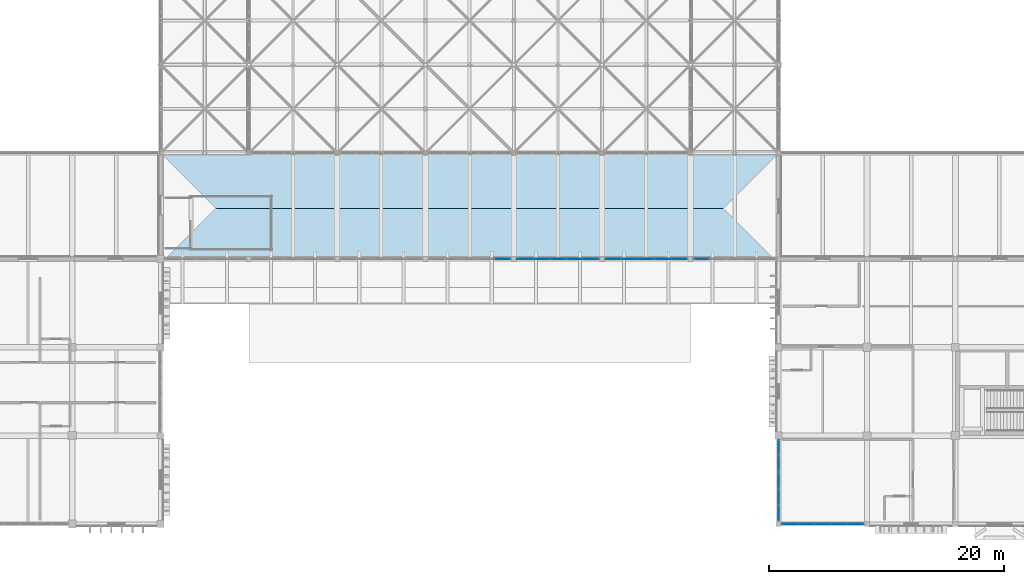
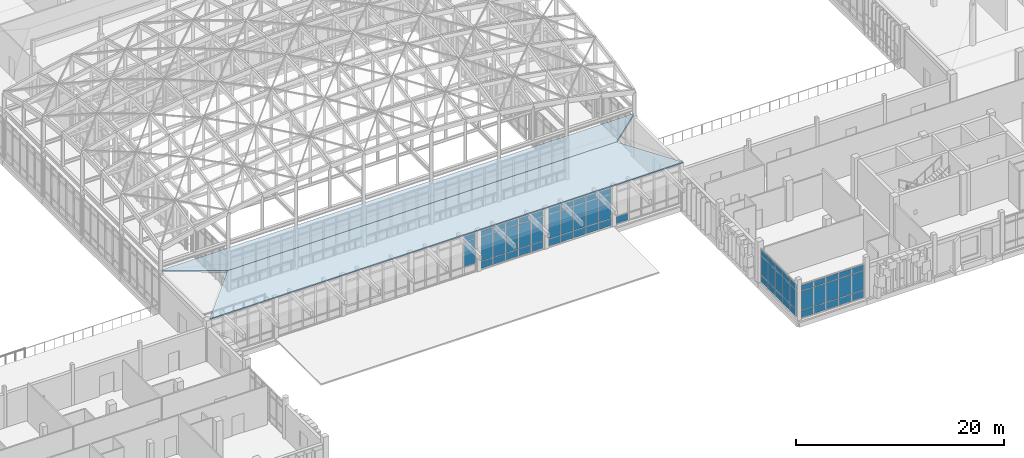
# One storey, part 78 of 131: 63 plates, 2 slabs, 7 elements without a shape of their own.
"""IFC4 building model written with IfcOpenShell, lengths in metres."""

from ifc_helpers import new_model, si_unit, direction, frame, origin, origin_2d, place, context, subcontext, project, spatial, polyline, rectangle, outline, extrude, material, layer, layer_set, type_object, element, aggregate, save


model = new_model("IFC4")

# Units and contexts
model_context = context("Model", 3, precision=1e-05, world=origin(), true_north=direction((0.0, 1.0)))
body_context = subcontext(model_context, "Body", "Model", "MODEL_VIEW")
ifc_project = project(units=[si_unit("LENGTHUNIT", "METRE"), si_unit("AREAUNIT", "SQUARE_METRE"), si_unit("VOLUMEUNIT", "CUBIC_METRE"), si_unit("PLANEANGLEUNIT", "RADIAN"), si_unit("MASSUNIT", "GRAM", prefix="KILO")], contexts=[model_context])

# Site, building, storey
site_placement = place(None, origin())
site = spatial("IfcSite", under=ifc_project, at=site_placement, CompositionType="ELEMENT")
building_placement = place(site_placement, origin())
building = spatial("IfcBuilding", under=site, at=building_placement, Name="Dalvernix Boulevard General Hospital", CompositionType="ELEMENT")
storey_placement = place(building_placement, frame((0.0, 0.0, 9.300048828125)))
storey = spatial("IfcBuildingStorey", under=building, at=storey_placement, Name="L02", CompositionType="ELEMENT", Elevation=9.300048828125)

# Curtain wall, plates
ifc_material_1 = material(Name="Thermally broken aluminium and solar-control glass curtain wall", Category="aluminium")
ifc_layer_1 = layer(ifc_material_1, 0.159912109375)
ifc_layer_set_1 = layer_set([ifc_layer_1], Name="Thermally broken aluminium and solar-control glass curtain wall (CW-CW-A-70x46)")
curtain_wall_type_1 = type_object("IfcCurtainWallType", Name="CW-CW-A-70x46", PredefinedType="USERDEFINED", material=ifc_layer_set_1)
curtain_wall_1_placement = place(storey_placement, origin())
curtain_wall_1 = element("IfcCurtainWall", 1, at=curtain_wall_1_placement, inside=storey, type_object=curtain_wall_type_1, Name="L02 curtain wall CW-A-70x46 13-3", ObjectType="GLAZED FACADE", PredefinedType="USERDEFINED")
ifc_material_2 = material(Name="Double-glazed solar-control low-emissivity glass", Category="glass")
ifc_layer_2 = layer(ifc_material_2, 0.02392578125)
ifc_layer_set_2 = layer_set([ifc_layer_2], Name="Double-glazed solar-control low-emissivity glass (PLT-CW-P1)")
plate_type_1 = type_object("IfcPlateType", Name="PLT-CW-P1", PredefinedType="CURTAIN_PANEL", material=ifc_layer_set_2)
plate_1_placement = place(storey_placement, frame((104.047119140625, 22.5, 0.059814453125), z_axis=(0.0, 0.0, 1.0), x_axis=(-1.0, 0.0, 0.0)))
plate_1 = element("IfcPlate", 2, at=plate_1_placement, type_object=plate_type_1, Name="CW-A-70x46 panel 1.1", PredefinedType="CURTAIN_PANEL", context=body_context, shape_type="SweptSolid", body=[
    extrude(rectangle(XDim=1.31591796875, YDim=0.02392578125, at=origin_2d()), origin(), (0.0, 0.0, 1.0), 0.81005859375),
])
plate_2_placement = place(storey_placement, frame((104.047119140625, 22.5, 0.9296875), z_axis=(0.0, 0.0, 1.0), x_axis=(-1.0, 0.0, 0.0)))
plate_2 = element("IfcPlate", 3, at=plate_2_placement, type_object=plate_type_1, Name="CW-A-70x46 panel 1.2", PredefinedType="CURTAIN_PANEL", context=body_context, shape_type="SweptSolid", body=[
    extrude(rectangle(XDim=1.31591796875, YDim=0.02392578125, at=origin_2d()), origin(), (0.0, 0.0, 1.0), 2.840087890625),
])
plate_3_placement = place(storey_placement, frame((104.047119140625, 22.5, 3.830078125), z_axis=(0.0, 0.0, 1.0), x_axis=(-1.0, 0.0, 0.0)))
plate_3 = element("IfcPlate", 4, at=plate_3_placement, type_object=plate_type_1, Name="CW-A-70x46 panel 1.3", PredefinedType="CURTAIN_PANEL", context=body_context, shape_type="SweptSolid", body=[
    extrude(rectangle(XDim=1.31591796875, YDim=0.02392578125, at=origin_2d()), origin(), (0.0, 0.0, 1.0), 0.659912109375),
])
plate_4_placement = place(storey_placement, frame((102.656005859375, 22.5, 0.059814453125), z_axis=(0.0, 0.0, 1.0), x_axis=(-1.0, 0.0, 0.0)))
plate_4 = element("IfcPlate", 5, at=plate_4_placement, type_object=plate_type_1, Name="CW-A-70x46 panel 2.1", PredefinedType="CURTAIN_PANEL", context=body_context, shape_type="SweptSolid", body=[
    extrude(rectangle(XDim=1.345947265625, YDim=0.02392578125, at=origin_2d()), origin(), (0.0, 0.0, 1.0), 0.81005859375),
])
plate_5_placement = place(storey_placement, frame((102.656005859375, 22.5, 0.9296875), z_axis=(0.0, 0.0, 1.0), x_axis=(-1.0, 0.0, 0.0)))
plate_5 = element("IfcPlate", 6, at=plate_5_placement, type_object=plate_type_1, Name="CW-A-70x46 panel 2.2", PredefinedType="CURTAIN_PANEL", context=body_context, shape_type="SweptSolid", body=[
    extrude(rectangle(XDim=1.345947265625, YDim=0.02392578125, at=origin_2d()), origin(), (0.0, 0.0, 1.0), 2.840087890625),
])
plate_6_placement = place(storey_placement, frame((102.656005859375, 22.5, 3.830078125), z_axis=(0.0, 0.0, 1.0), x_axis=(-1.0, 0.0, 0.0)))
plate_6 = element("IfcPlate", 7, at=plate_6_placement, type_object=plate_type_1, Name="CW-A-70x46 panel 2.3", PredefinedType="CURTAIN_PANEL", context=body_context, shape_type="SweptSolid", body=[
    extrude(rectangle(XDim=1.345947265625, YDim=0.02392578125, at=origin_2d()), origin(), (0.0, 0.0, 1.0), 0.659912109375),
])
plate_7_placement = place(storey_placement, frame((101.25, 22.5, 0.059814453125), z_axis=(0.0, 0.0, 1.0), x_axis=(-1.0, 0.0, 0.0)))
plate_7 = element("IfcPlate", 8, at=plate_7_placement, type_object=plate_type_1, Name="CW-A-70x46 panel 3.1", PredefinedType="CURTAIN_PANEL", context=body_context, shape_type="SweptSolid", body=[
    extrude(rectangle(XDim=1.345947265625, YDim=0.02392578125, at=origin_2d()), origin(), (0.0, 0.0, 1.0), 0.81005859375),
])
plate_8_placement = place(storey_placement, frame((101.25, 22.5, 0.9296875), z_axis=(0.0, 0.0, 1.0), x_axis=(-1.0, 0.0, 0.0)))
plate_8 = element("IfcPlate", 9, at=plate_8_placement, type_object=plate_type_1, Name="CW-A-70x46 panel 3.2", PredefinedType="CURTAIN_PANEL", context=body_context, shape_type="SweptSolid", body=[
    extrude(rectangle(XDim=1.345947265625, YDim=0.02392578125, at=origin_2d()), origin(), (0.0, 0.0, 1.0), 2.840087890625),
])
plate_9_placement = place(storey_placement, frame((101.25, 22.5, 3.830078125), z_axis=(0.0, 0.0, 1.0), x_axis=(-1.0, 0.0, 0.0)))
plate_9 = element("IfcPlate", 10, at=plate_9_placement, type_object=plate_type_1, Name="CW-A-70x46 panel 3.3", PredefinedType="CURTAIN_PANEL", context=body_context, shape_type="SweptSolid", body=[
    extrude(rectangle(XDim=1.345947265625, YDim=0.02392578125, at=origin_2d()), origin(), (0.0, 0.0, 1.0), 0.659912109375),
])
plate_10_placement = place(storey_placement, frame((99.843994140625, 22.5, 0.059814453125), z_axis=(0.0, 0.0, 1.0), x_axis=(-1.0, 0.0, 0.0)))
plate_10 = element("IfcPlate", 11, at=plate_10_placement, type_object=plate_type_1, Name="CW-A-70x46 panel 4.1", PredefinedType="CURTAIN_PANEL", context=body_context, shape_type="SweptSolid", body=[
    extrude(rectangle(XDim=1.345947265625, YDim=0.02392578125, at=origin_2d()), origin(), (0.0, 0.0, 1.0), 0.81005859375),
])
plate_11_placement = place(storey_placement, frame((99.843994140625, 22.5, 0.9296875), z_axis=(0.0, 0.0, 1.0), x_axis=(-1.0, 0.0, 0.0)))
plate_11 = element("IfcPlate", 12, at=plate_11_placement, type_object=plate_type_1, Name="CW-A-70x46 panel 4.2", PredefinedType="CURTAIN_PANEL", context=body_context, shape_type="SweptSolid", body=[
    extrude(rectangle(XDim=1.345947265625, YDim=0.02392578125, at=origin_2d()), origin(), (0.0, 0.0, 1.0), 2.840087890625),
])
plate_12_placement = place(storey_placement, frame((99.843994140625, 22.5, 3.830078125), z_axis=(0.0, 0.0, 1.0), x_axis=(-1.0, 0.0, 0.0)))
plate_12 = element("IfcPlate", 13, at=plate_12_placement, type_object=plate_type_1, Name="CW-A-70x46 panel 4.3", PredefinedType="CURTAIN_PANEL", context=body_context, shape_type="SweptSolid", body=[
    extrude(rectangle(XDim=1.345947265625, YDim=0.02392578125, at=origin_2d()), origin(), (0.0, 0.0, 1.0), 0.659912109375),
])
plate_13_placement = place(storey_placement, frame((98.452880859375, 22.5, 0.059814453125), z_axis=(0.0, 0.0, 1.0), x_axis=(-1.0, 0.0, 0.0)))
plate_13 = element("IfcPlate", 14, at=plate_13_placement, type_object=plate_type_1, Name="CW-A-70x46 panel 5.1", PredefinedType="CURTAIN_PANEL", context=body_context, shape_type="SweptSolid", body=[
    extrude(rectangle(XDim=1.31591796875, YDim=0.02392578125, at=origin_2d()), origin(), (0.0, 0.0, 1.0), 0.81005859375),
])
plate_14_placement = place(storey_placement, frame((98.452880859375, 22.5, 0.9296875), z_axis=(0.0, 0.0, 1.0), x_axis=(-1.0, 0.0, 0.0)))
plate_14 = element("IfcPlate", 15, at=plate_14_placement, type_object=plate_type_1, Name="CW-A-70x46 panel 5.2", PredefinedType="CURTAIN_PANEL", context=body_context, shape_type="SweptSolid", body=[
    extrude(rectangle(XDim=1.31591796875, YDim=0.02392578125, at=origin_2d()), origin(), (0.0, 0.0, 1.0), 2.840087890625),
])
plate_15_placement = place(storey_placement, frame((98.452880859375, 22.5, 3.830078125), z_axis=(0.0, 0.0, 1.0), x_axis=(-1.0, 0.0, 0.0)))
plate_15 = element("IfcPlate", 16, at=plate_15_placement, type_object=plate_type_1, Name="CW-A-70x46 panel 5.3", PredefinedType="CURTAIN_PANEL", context=body_context, shape_type="SweptSolid", body=[
    extrude(rectangle(XDim=1.31591796875, YDim=0.02392578125, at=origin_2d()), origin(), (0.0, 0.0, 1.0), 0.659912109375),
])
aggregate(curtain_wall_1, [plate_1, plate_2, plate_3, plate_4, plate_5, plate_6, plate_7, plate_8, plate_9, plate_10, plate_11, plate_12, plate_13, plate_14, plate_15])

ifc_layer_3 = layer(ifc_material_1, 0.179931640625)
ifc_layer_set_3 = layer_set([ifc_layer_3], Name="Thermally broken aluminium and solar-control glass curtain wall (CW-CW-B-70x46)")
curtain_wall_type_2 = type_object("IfcCurtainWallType", Name="CW-CW-B-70x46", PredefinedType="USERDEFINED", material=ifc_layer_set_3)
curtain_wall_2_placement = place(storey_placement, origin())
curtain_wall_2 = element("IfcCurtainWall", 17, at=curtain_wall_2_placement, inside=storey, type_object=curtain_wall_type_2, Name="L02 curtain wall CW-B-70x46 11-3", ObjectType="GLAZED FACADE", PredefinedType="USERDEFINED")
ifc_layer_4 = layer(ifc_material_2, 0.028076171875)
ifc_layer_set_4 = layer_set([ifc_layer_4], Name="Double-glazed solar-control low-emissivity glass (PLT-CW-P2)")
plate_type_2 = type_object("IfcPlateType", Name="PLT-CW-P2", PredefinedType="CURTAIN_PANEL", material=ifc_layer_set_4)
plate_16_placement = place(storey_placement, frame((89.045654296875, 22.5, 0.932373046875), z_axis=(0.0, 0.0, 1.0), x_axis=(-1.0, 0.0, 0.0)))
plate_16 = element("IfcPlate", 18, at=plate_16_placement, type_object=plate_type_2, Name="CW-B-70x46 panel 1.2", PredefinedType="CURTAIN_PANEL", context=body_context, shape_type="SweptSolid", body=[
    extrude(rectangle(XDim=1.30859375, YDim=0.028076171875, at=origin_2d()), origin(), (0.0, 0.0, 1.0), 2.8349609375),
])
plate_17_placement = place(storey_placement, frame((89.045654296875, 22.5, 3.83251953125), z_axis=(0.0, 0.0, 1.0), x_axis=(-1.0, 0.0, 0.0)))
plate_17 = element("IfcPlate", 19, at=plate_17_placement, type_object=plate_type_2, Name="CW-B-70x46 panel 1.3", PredefinedType="CURTAIN_PANEL", context=body_context, shape_type="SweptSolid", body=[
    extrude(rectangle(XDim=1.30859375, YDim=0.028076171875, at=origin_2d()), origin(), (0.0, 0.0, 1.0), 0.652587890625),
])
aggregate(curtain_wall_2, [plate_16, plate_17])

# Curtain wall, plate
ifc_layer_5 = layer(ifc_material_1, 0.179931640625)
ifc_layer_set_5 = layer_set([ifc_layer_5], Name="Thermally broken aluminium and solar-control glass curtain wall (CW-CW-B-71x46)")
curtain_wall_type_3 = type_object("IfcCurtainWallType", Name="CW-CW-B-71x46", PredefinedType="USERDEFINED", material=ifc_layer_set_5)
curtain_wall_3_placement = place(storey_placement, origin())
curtain_wall_3 = element("IfcCurtainWall", 20, at=curtain_wall_3_placement, inside=storey, type_object=curtain_wall_type_3, Name="L02 curtain wall CW-B-71x46 14-3", ObjectType="GLAZED FACADE", PredefinedType="USERDEFINED")
plate_18_placement = place(storey_placement, frame((105.960693359375, 22.5, 0.06494140625), z_axis=(0.0, 0.0, 1.0), x_axis=(-1.0, 0.0, 0.0)))
plate_18 = element("IfcPlate", 21, at=plate_18_placement, type_object=plate_type_2, Name="CW-B-71x46 panel 5.1", PredefinedType="CURTAIN_PANEL", context=body_context, shape_type="SweptSolid", body=[
    extrude(rectangle(XDim=1.321533203125, YDim=0.028076171875, at=origin_2d()), origin(), (0.0, 0.0, 1.0), 0.802490234375),
])
aggregate(curtain_wall_3, [plate_18])

# Curtain wall, plates
ifc_layer_6 = layer(ifc_material_1, 0.199951171875)
ifc_layer_set_6 = layer_set([ifc_layer_6], Name="Thermally broken aluminium and solar-control glass curtain wall (CW-CW-C-70x46)")
curtain_wall_type_4 = type_object("IfcCurtainWallType", Name="CW-CW-C-70x46", PredefinedType="USERDEFINED", material=ifc_layer_set_6)
curtain_wall_4_placement = place(storey_placement, origin())
curtain_wall_4 = element("IfcCurtainWall", 22, at=curtain_wall_4_placement, inside=storey, type_object=curtain_wall_type_4, Name="L02 curtain wall CW-C-70x46 12-3", ObjectType="GLAZED FACADE", PredefinedType="USERDEFINED")
ifc_layer_7 = layer(ifc_material_2, 0.035888671875)
ifc_layer_set_7 = layer_set([ifc_layer_7], Name="Double-glazed solar-control low-emissivity glass (PLT-CW-P3)")
plate_type_3 = type_object("IfcPlateType", Name="PLT-CW-P3", PredefinedType="CURTAIN_PANEL", material=ifc_layer_set_7)
plate_19_placement = place(storey_placement, frame((96.54443359375, 22.5, 0.070068359375), z_axis=(0.0, 0.0, 1.0), x_axis=(-1.0, 0.0, 0.0)))
plate_19 = element("IfcPlate", 23, at=plate_19_placement, type_object=plate_type_3, Name="CW-C-70x46 panel 1.1", PredefinedType="CURTAIN_PANEL", context=body_context, shape_type="SweptSolid", body=[
    extrude(rectangle(XDim=1.301025390625, YDim=0.035888671875, at=origin_2d()), origin(), (0.0, 0.0, 1.0), 0.794921875),
])
plate_20_placement = place(storey_placement, frame((96.54443359375, 22.5, 0.934814453125), z_axis=(0.0, 0.0, 1.0), x_axis=(-1.0, 0.0, 0.0)))
plate_20 = element("IfcPlate", 24, at=plate_20_placement, type_object=plate_type_3, Name="CW-C-70x46 panel 1.2", PredefinedType="CURTAIN_PANEL", context=body_context, shape_type="SweptSolid", body=[
    extrude(rectangle(XDim=1.301025390625, YDim=0.035888671875, at=origin_2d()), origin(), (0.0, 0.0, 1.0), 2.830078125),
])
plate_21_placement = place(storey_placement, frame((96.54443359375, 22.5, 3.8349609375), z_axis=(0.0, 0.0, 1.0), x_axis=(-1.0, 0.0, 0.0)))
plate_21 = element("IfcPlate", 25, at=plate_21_placement, type_object=plate_type_3, Name="CW-C-70x46 panel 1.3", PredefinedType="CURTAIN_PANEL", context=body_context, shape_type="SweptSolid", body=[
    extrude(rectangle(XDim=1.301025390625, YDim=0.035888671875, at=origin_2d()), origin(), (0.0, 0.0, 1.0), 0.64501953125),
])
plate_22_placement = place(storey_placement, frame((95.156005859375, 22.5, 0.070068359375), z_axis=(0.0, 0.0, 1.0), x_axis=(-1.0, 0.0, 0.0)))
plate_22 = element("IfcPlate", 26, at=plate_22_placement, type_object=plate_type_3, Name="CW-C-70x46 panel 2.1", PredefinedType="CURTAIN_PANEL", context=body_context, shape_type="SweptSolid", body=[
    extrude(rectangle(XDim=1.3359375, YDim=0.035888671875, at=origin_2d()), origin(), (0.0, 0.0, 1.0), 0.794921875),
])
plate_23_placement = place(storey_placement, frame((95.156005859375, 22.5, 0.934814453125), z_axis=(0.0, 0.0, 1.0), x_axis=(-1.0, 0.0, 0.0)))
plate_23 = element("IfcPlate", 27, at=plate_23_placement, type_object=plate_type_3, Name="CW-C-70x46 panel 2.2", PredefinedType="CURTAIN_PANEL", context=body_context, shape_type="SweptSolid", body=[
    extrude(rectangle(XDim=1.3359375, YDim=0.035888671875, at=origin_2d()), origin(), (0.0, 0.0, 1.0), 2.830078125),
])
plate_24_placement = place(storey_placement, frame((95.156005859375, 22.5, 3.8349609375), z_axis=(0.0, 0.0, 1.0), x_axis=(-1.0, 0.0, 0.0)))
plate_24 = element("IfcPlate", 28, at=plate_24_placement, type_object=plate_type_3, Name="CW-C-70x46 panel 2.3", PredefinedType="CURTAIN_PANEL", context=body_context, shape_type="SweptSolid", body=[
    extrude(rectangle(XDim=1.3359375, YDim=0.035888671875, at=origin_2d()), origin(), (0.0, 0.0, 1.0), 0.64501953125),
])
plate_25_placement = place(storey_placement, frame((93.75, 22.5, 0.070068359375), z_axis=(0.0, 0.0, 1.0), x_axis=(-1.0, 0.0, 0.0)))
plate_25 = element("IfcPlate", 29, at=plate_25_placement, type_object=plate_type_3, Name="CW-C-70x46 panel 3.1", PredefinedType="CURTAIN_PANEL", context=body_context, shape_type="SweptSolid", body=[
    extrude(rectangle(XDim=1.3359375, YDim=0.035888671875, at=origin_2d()), origin(), (0.0, 0.0, 1.0), 0.794921875),
])
plate_26_placement = place(storey_placement, frame((93.75, 22.5, 0.934814453125), z_axis=(0.0, 0.0, 1.0), x_axis=(-1.0, 0.0, 0.0)))
plate_26 = element("IfcPlate", 30, at=plate_26_placement, type_object=plate_type_3, Name="CW-C-70x46 panel 3.2", PredefinedType="CURTAIN_PANEL", context=body_context, shape_type="SweptSolid", body=[
    extrude(rectangle(XDim=1.3359375, YDim=0.035888671875, at=origin_2d()), origin(), (0.0, 0.0, 1.0), 2.830078125),
])
plate_27_placement = place(storey_placement, frame((93.75, 22.5, 3.8349609375), z_axis=(0.0, 0.0, 1.0), x_axis=(-1.0, 0.0, 0.0)))
plate_27 = element("IfcPlate", 31, at=plate_27_placement, type_object=plate_type_3, Name="CW-C-70x46 panel 3.3", PredefinedType="CURTAIN_PANEL", context=body_context, shape_type="SweptSolid", body=[
    extrude(rectangle(XDim=1.3359375, YDim=0.035888671875, at=origin_2d()), origin(), (0.0, 0.0, 1.0), 0.64501953125),
])
plate_28_placement = place(storey_placement, frame((92.343994140625, 22.5, 0.070068359375), z_axis=(0.0, 0.0, 1.0), x_axis=(-1.0, 0.0, 0.0)))
plate_28 = element("IfcPlate", 32, at=plate_28_placement, type_object=plate_type_3, Name="CW-C-70x46 panel 4.1", PredefinedType="CURTAIN_PANEL", context=body_context, shape_type="SweptSolid", body=[
    extrude(rectangle(XDim=1.3359375, YDim=0.035888671875, at=origin_2d()), origin(), (0.0, 0.0, 1.0), 0.794921875),
])
plate_29_placement = place(storey_placement, frame((92.343994140625, 22.5, 0.934814453125), z_axis=(0.0, 0.0, 1.0), x_axis=(-1.0, 0.0, 0.0)))
plate_29 = element("IfcPlate", 33, at=plate_29_placement, type_object=plate_type_3, Name="CW-C-70x46 panel 4.2", PredefinedType="CURTAIN_PANEL", context=body_context, shape_type="SweptSolid", body=[
    extrude(rectangle(XDim=1.3359375, YDim=0.035888671875, at=origin_2d()), origin(), (0.0, 0.0, 1.0), 2.830078125),
])
plate_30_placement = place(storey_placement, frame((92.343994140625, 22.5, 3.8349609375), z_axis=(0.0, 0.0, 1.0), x_axis=(-1.0, 0.0, 0.0)))
plate_30 = element("IfcPlate", 34, at=plate_30_placement, type_object=plate_type_3, Name="CW-C-70x46 panel 4.3", PredefinedType="CURTAIN_PANEL", context=body_context, shape_type="SweptSolid", body=[
    extrude(rectangle(XDim=1.3359375, YDim=0.035888671875, at=origin_2d()), origin(), (0.0, 0.0, 1.0), 0.64501953125),
])
plate_31_placement = place(storey_placement, frame((90.95556640625, 22.5, 0.070068359375), z_axis=(0.0, 0.0, 1.0), x_axis=(-1.0, 0.0, 0.0)))
plate_31 = element("IfcPlate", 35, at=plate_31_placement, type_object=plate_type_3, Name="CW-C-70x46 panel 5.1", PredefinedType="CURTAIN_PANEL", context=body_context, shape_type="SweptSolid", body=[
    extrude(rectangle(XDim=1.301025390625, YDim=0.035888671875, at=origin_2d()), origin(), (0.0, 0.0, 1.0), 0.794921875),
])
plate_32_placement = place(storey_placement, frame((90.95556640625, 22.5, 0.934814453125), z_axis=(0.0, 0.0, 1.0), x_axis=(-1.0, 0.0, 0.0)))
plate_32 = element("IfcPlate", 36, at=plate_32_placement, type_object=plate_type_3, Name="CW-C-70x46 panel 5.2", PredefinedType="CURTAIN_PANEL", context=body_context, shape_type="SweptSolid", body=[
    extrude(rectangle(XDim=1.301025390625, YDim=0.035888671875, at=origin_2d()), origin(), (0.0, 0.0, 1.0), 2.830078125),
])
plate_33_placement = place(storey_placement, frame((90.95556640625, 22.5, 3.8349609375), z_axis=(0.0, 0.0, 1.0), x_axis=(-1.0, 0.0, 0.0)))
plate_33 = element("IfcPlate", 37, at=plate_33_placement, type_object=plate_type_3, Name="CW-C-70x46 panel 5.3", PredefinedType="CURTAIN_PANEL", context=body_context, shape_type="SweptSolid", body=[
    extrude(rectangle(XDim=1.301025390625, YDim=0.035888671875, at=origin_2d()), origin(), (0.0, 0.0, 1.0), 0.64501953125),
])
aggregate(curtain_wall_4, [plate_19, plate_20, plate_21, plate_22, plate_23, plate_24, plate_25, plate_26, plate_27, plate_28, plate_29, plate_30, plate_31, plate_32, plate_33])

ifc_layer_8 = layer(ifc_material_1, 0.199951171875)
ifc_layer_set_8 = layer_set([ifc_layer_8], Name="Thermally broken aluminium and solar-control glass curtain wall (CW-CW-C-70x40)")
curtain_wall_type_5 = type_object("IfcCurtainWallType", Name="CW-CW-C-70x40", PredefinedType="USERDEFINED", material=ifc_layer_set_8)
curtain_wall_5_placement = place(storey_placement, origin())
curtain_wall_5 = element("IfcCurtainWall", 38, at=curtain_wall_5_placement, inside=storey, type_object=curtain_wall_type_5, Name="L02 curtain wall CW-C-70x40 15-0", ObjectType="GLAZED FACADE", PredefinedType="USERDEFINED")
plate_34_placement = place(storey_placement, frame((119.04443359375, 0.0, 0.070068359375), z_axis=(0.0, 0.0, 1.0), x_axis=(-1.0, 0.0, 0.0)))
plate_34 = element("IfcPlate", 39, at=plate_34_placement, type_object=plate_type_3, Name="CW-C-70x40 panel 1.1", PredefinedType="CURTAIN_PANEL", context=body_context, shape_type="SweptSolid", body=[
    extrude(rectangle(XDim=1.301025390625, YDim=0.035888671875, at=origin_2d()), origin(), (0.0, 0.0, 1.0), 0.794921875),
])
plate_35_placement = place(storey_placement, frame((119.04443359375, 0.0, 0.93505859375), z_axis=(0.0, 0.0, 1.0), x_axis=(-1.0, 0.0, 0.0)))
plate_35 = element("IfcPlate", 40, at=plate_35_placement, type_object=plate_type_3, Name="CW-C-70x40 panel 1.2", PredefinedType="CURTAIN_PANEL", context=body_context, shape_type="SweptSolid", body=[
    extrude(rectangle(XDim=1.301025390625, YDim=0.035888671875, at=origin_2d()), origin(), (0.0, 0.0, 1.0), 2.22998046875),
])
plate_36_placement = place(storey_placement, frame((119.04443359375, 0.0, 3.23486328125), z_axis=(0.0, 0.0, 1.0), x_axis=(-1.0, 0.0, 0.0)))
plate_36 = element("IfcPlate", 41, at=plate_36_placement, type_object=plate_type_3, Name="CW-C-70x40 panel 1.3", PredefinedType="CURTAIN_PANEL", context=body_context, shape_type="SweptSolid", body=[
    extrude(rectangle(XDim=1.301025390625, YDim=0.035888671875, at=origin_2d()), origin(), (0.0, 0.0, 1.0), 0.64501953125),
])
plate_37_placement = place(storey_placement, frame((117.656005859375, 0.0, 0.070068359375), z_axis=(0.0, 0.0, 1.0), x_axis=(-1.0, 0.0, 0.0)))
plate_37 = element("IfcPlate", 42, at=plate_37_placement, type_object=plate_type_3, Name="CW-C-70x40 panel 2.1", PredefinedType="CURTAIN_PANEL", context=body_context, shape_type="SweptSolid", body=[
    extrude(rectangle(XDim=1.3359375, YDim=0.035888671875, at=origin_2d()), origin(), (0.0, 0.0, 1.0), 0.794921875),
])
plate_38_placement = place(storey_placement, frame((117.656005859375, 0.0, 0.93505859375), z_axis=(0.0, 0.0, 1.0), x_axis=(-1.0, 0.0, 0.0)))
plate_38 = element("IfcPlate", 43, at=plate_38_placement, type_object=plate_type_3, Name="CW-C-70x40 panel 2.2", PredefinedType="CURTAIN_PANEL", context=body_context, shape_type="SweptSolid", body=[
    extrude(rectangle(XDim=1.3359375, YDim=0.035888671875, at=origin_2d()), origin(), (0.0, 0.0, 1.0), 2.22998046875),
])
plate_39_placement = place(storey_placement, frame((117.656005859375, 0.0, 3.23486328125), z_axis=(0.0, 0.0, 1.0), x_axis=(-1.0, 0.0, 0.0)))
plate_39 = element("IfcPlate", 44, at=plate_39_placement, type_object=plate_type_3, Name="CW-C-70x40 panel 2.3", PredefinedType="CURTAIN_PANEL", context=body_context, shape_type="SweptSolid", body=[
    extrude(rectangle(XDim=1.3359375, YDim=0.035888671875, at=origin_2d()), origin(), (0.0, 0.0, 1.0), 0.64501953125),
])
plate_40_placement = place(storey_placement, frame((116.25, 0.0, 0.070068359375), z_axis=(0.0, 0.0, 1.0), x_axis=(-1.0, 0.0, 0.0)))
plate_40 = element("IfcPlate", 45, at=plate_40_placement, type_object=plate_type_3, Name="CW-C-70x40 panel 3.1", PredefinedType="CURTAIN_PANEL", context=body_context, shape_type="SweptSolid", body=[
    extrude(rectangle(XDim=1.3359375, YDim=0.035888671875, at=origin_2d()), origin(), (0.0, 0.0, 1.0), 0.794921875),
])
plate_41_placement = place(storey_placement, frame((116.25, 0.0, 0.93505859375), z_axis=(0.0, 0.0, 1.0), x_axis=(-1.0, 0.0, 0.0)))
plate_41 = element("IfcPlate", 46, at=plate_41_placement, type_object=plate_type_3, Name="CW-C-70x40 panel 3.2", PredefinedType="CURTAIN_PANEL", context=body_context, shape_type="SweptSolid", body=[
    extrude(rectangle(XDim=1.3359375, YDim=0.035888671875, at=origin_2d()), origin(), (0.0, 0.0, 1.0), 2.22998046875),
])
plate_42_placement = place(storey_placement, frame((116.25, 0.0, 3.23486328125), z_axis=(0.0, 0.0, 1.0), x_axis=(-1.0, 0.0, 0.0)))
plate_42 = element("IfcPlate", 47, at=plate_42_placement, type_object=plate_type_3, Name="CW-C-70x40 panel 3.3", PredefinedType="CURTAIN_PANEL", context=body_context, shape_type="SweptSolid", body=[
    extrude(rectangle(XDim=1.3359375, YDim=0.035888671875, at=origin_2d()), origin(), (0.0, 0.0, 1.0), 0.64501953125),
])
plate_43_placement = place(storey_placement, frame((114.843994140625, 0.0, 0.070068359375), z_axis=(0.0, 0.0, 1.0), x_axis=(-1.0, 0.0, 0.0)))
plate_43 = element("IfcPlate", 48, at=plate_43_placement, type_object=plate_type_3, Name="CW-C-70x40 panel 4.1", PredefinedType="CURTAIN_PANEL", context=body_context, shape_type="SweptSolid", body=[
    extrude(rectangle(XDim=1.3359375, YDim=0.035888671875, at=origin_2d()), origin(), (0.0, 0.0, 1.0), 0.794921875),
])
plate_44_placement = place(storey_placement, frame((114.843994140625, 0.0, 0.93505859375), z_axis=(0.0, 0.0, 1.0), x_axis=(-1.0, 0.0, 0.0)))
plate_44 = element("IfcPlate", 49, at=plate_44_placement, type_object=plate_type_3, Name="CW-C-70x40 panel 4.2", PredefinedType="CURTAIN_PANEL", context=body_context, shape_type="SweptSolid", body=[
    extrude(rectangle(XDim=1.3359375, YDim=0.035888671875, at=origin_2d()), origin(), (0.0, 0.0, 1.0), 2.22998046875),
])
plate_45_placement = place(storey_placement, frame((114.843994140625, 0.0, 3.23486328125), z_axis=(0.0, 0.0, 1.0), x_axis=(-1.0, 0.0, 0.0)))
plate_45 = element("IfcPlate", 50, at=plate_45_placement, type_object=plate_type_3, Name="CW-C-70x40 panel 4.3", PredefinedType="CURTAIN_PANEL", context=body_context, shape_type="SweptSolid", body=[
    extrude(rectangle(XDim=1.3359375, YDim=0.035888671875, at=origin_2d()), origin(), (0.0, 0.0, 1.0), 0.64501953125),
])
plate_46_placement = place(storey_placement, frame((113.45556640625, 0.0, 0.070068359375), z_axis=(0.0, 0.0, 1.0), x_axis=(-1.0, 0.0, 0.0)))
plate_46 = element("IfcPlate", 51, at=plate_46_placement, type_object=plate_type_3, Name="CW-C-70x40 panel 5.1", PredefinedType="CURTAIN_PANEL", context=body_context, shape_type="SweptSolid", body=[
    extrude(rectangle(XDim=1.301025390625, YDim=0.035888671875, at=origin_2d()), origin(), (0.0, 0.0, 1.0), 0.794921875),
])
plate_47_placement = place(storey_placement, frame((113.45556640625, 0.0, 0.93505859375), z_axis=(0.0, 0.0, 1.0), x_axis=(-1.0, 0.0, 0.0)))
plate_47 = element("IfcPlate", 52, at=plate_47_placement, type_object=plate_type_3, Name="CW-C-70x40 panel 5.2", PredefinedType="CURTAIN_PANEL", context=body_context, shape_type="SweptSolid", body=[
    extrude(rectangle(XDim=1.301025390625, YDim=0.035888671875, at=origin_2d()), origin(), (0.0, 0.0, 1.0), 2.22998046875),
])
plate_48_placement = place(storey_placement, frame((113.45556640625, 0.0, 3.23486328125), z_axis=(0.0, 0.0, 1.0), x_axis=(-1.0, 0.0, 0.0)))
plate_48 = element("IfcPlate", 53, at=plate_48_placement, type_object=plate_type_3, Name="CW-C-70x40 panel 5.3", PredefinedType="CURTAIN_PANEL", context=body_context, shape_type="SweptSolid", body=[
    extrude(rectangle(XDim=1.301025390625, YDim=0.035888671875, at=origin_2d()), origin(), (0.0, 0.0, 1.0), 0.64501953125),
])
aggregate(curtain_wall_5, [plate_34, plate_35, plate_36, plate_37, plate_38, plate_39, plate_40, plate_41, plate_42, plate_43, plate_44, plate_45, plate_46, plate_47, plate_48])

curtain_wall_6_placement = place(storey_placement, origin())
curtain_wall_6 = element("IfcCurtainWall", 54, at=curtain_wall_6_placement, inside=storey, type_object=curtain_wall_type_5, Name="L02 curtain wall CW-C-70x40 15-0", ObjectType="GLAZED FACADE", PredefinedType="USERDEFINED")
plate_49_placement = place(storey_placement, frame((112.5, 0.947998046875, 0.070068359375), z_axis=(0.0, 0.0, 1.0), x_axis=(0.0, 1.0, 0.0)))
plate_49 = element("IfcPlate", 55, at=plate_49_placement, type_object=plate_type_3, Name="CW-C-70x40 panel 1.1", PredefinedType="CURTAIN_PANEL", context=body_context, shape_type="SweptSolid", body=[
    extrude(rectangle(XDim=1.285888671875, YDim=0.035888671875, at=origin_2d()), origin(), (0.0, 0.0, 1.0), 0.794921875),
])
plate_50_placement = place(storey_placement, frame((112.5, 0.947998046875, 0.93505859375), z_axis=(0.0, 0.0, 1.0), x_axis=(0.0, 1.0, 0.0)))
plate_50 = element("IfcPlate", 56, at=plate_50_placement, type_object=plate_type_3, Name="CW-C-70x40 panel 1.2", PredefinedType="CURTAIN_PANEL", context=body_context, shape_type="SweptSolid", body=[
    extrude(rectangle(XDim=1.285888671875, YDim=0.035888671875, at=origin_2d()), origin(), (0.0, 0.0, 1.0), 2.22998046875),
])
plate_51_placement = place(storey_placement, frame((112.5, 0.947998046875, 3.23486328125), z_axis=(0.0, 0.0, 1.0), x_axis=(0.0, 1.0, 0.0)))
plate_51 = element("IfcPlate", 57, at=plate_51_placement, type_object=plate_type_3, Name="CW-C-70x40 panel 1.3", PredefinedType="CURTAIN_PANEL", context=body_context, shape_type="SweptSolid", body=[
    extrude(rectangle(XDim=1.285888671875, YDim=0.035888671875, at=origin_2d()), origin(), (0.0, 0.0, 1.0), 0.64501953125),
])
plate_52_placement = place(storey_placement, frame((112.5, 2.321533203125, 0.070068359375), z_axis=(0.0, 0.0, 1.0), x_axis=(0.0, 1.0, 0.0)))
plate_52 = element("IfcPlate", 58, at=plate_52_placement, type_object=plate_type_3, Name="CW-C-70x40 panel 2.1", PredefinedType="CURTAIN_PANEL", context=body_context, shape_type="SweptSolid", body=[
    extrude(rectangle(XDim=1.321044921875, YDim=0.035888671875, at=origin_2d()), origin(), (0.0, 0.0, 1.0), 0.794921875),
])
plate_53_placement = place(storey_placement, frame((112.5, 2.321533203125, 0.93505859375), z_axis=(0.0, 0.0, 1.0), x_axis=(0.0, 1.0, 0.0)))
plate_53 = element("IfcPlate", 59, at=plate_53_placement, type_object=plate_type_3, Name="CW-C-70x40 panel 2.2", PredefinedType="CURTAIN_PANEL", context=body_context, shape_type="SweptSolid", body=[
    extrude(rectangle(XDim=1.321044921875, YDim=0.035888671875, at=origin_2d()), origin(), (0.0, 0.0, 1.0), 2.22998046875),
])
plate_54_placement = place(storey_placement, frame((112.5, 2.321533203125, 3.23486328125), z_axis=(0.0, 0.0, 1.0), x_axis=(0.0, 1.0, 0.0)))
plate_54 = element("IfcPlate", 60, at=plate_54_placement, type_object=plate_type_3, Name="CW-C-70x40 panel 2.3", PredefinedType="CURTAIN_PANEL", context=body_context, shape_type="SweptSolid", body=[
    extrude(rectangle(XDim=1.321044921875, YDim=0.035888671875, at=origin_2d()), origin(), (0.0, 0.0, 1.0), 0.64501953125),
])
plate_55_placement = place(storey_placement, frame((112.5, 3.71240234375, 0.070068359375), z_axis=(0.0, 0.0, 1.0), x_axis=(0.0, 1.0, 0.0)))
plate_55 = element("IfcPlate", 61, at=plate_55_placement, type_object=plate_type_3, Name="CW-C-70x40 panel 3.1", PredefinedType="CURTAIN_PANEL", context=body_context, shape_type="SweptSolid", body=[
    extrude(rectangle(XDim=1.321044921875, YDim=0.035888671875, at=origin_2d()), origin(), (0.0, 0.0, 1.0), 0.794921875),
])
plate_56_placement = place(storey_placement, frame((112.5, 3.71240234375, 0.93505859375), z_axis=(0.0, 0.0, 1.0), x_axis=(0.0, 1.0, 0.0)))
plate_56 = element("IfcPlate", 62, at=plate_56_placement, type_object=plate_type_3, Name="CW-C-70x40 panel 3.2", PredefinedType="CURTAIN_PANEL", context=body_context, shape_type="SweptSolid", body=[
    extrude(rectangle(XDim=1.321044921875, YDim=0.035888671875, at=origin_2d()), origin(), (0.0, 0.0, 1.0), 2.22998046875),
])
plate_57_placement = place(storey_placement, frame((112.5, 3.71240234375, 3.23486328125), z_axis=(0.0, 0.0, 1.0), x_axis=(0.0, 1.0, 0.0)))
plate_57 = element("IfcPlate", 63, at=plate_57_placement, type_object=plate_type_3, Name="CW-C-70x40 panel 3.3", PredefinedType="CURTAIN_PANEL", context=body_context, shape_type="SweptSolid", body=[
    extrude(rectangle(XDim=1.321044921875, YDim=0.035888671875, at=origin_2d()), origin(), (0.0, 0.0, 1.0), 0.64501953125),
])
plate_58_placement = place(storey_placement, frame((112.5, 5.103515625, 0.070068359375), z_axis=(0.0, 0.0, 1.0), x_axis=(0.0, 1.0, 0.0)))
plate_58 = element("IfcPlate", 64, at=plate_58_placement, type_object=plate_type_3, Name="CW-C-70x40 panel 4.1", PredefinedType="CURTAIN_PANEL", context=body_context, shape_type="SweptSolid", body=[
    extrude(rectangle(XDim=1.321044921875, YDim=0.035888671875, at=origin_2d()), origin(), (0.0, 0.0, 1.0), 0.794921875),
])
plate_59_placement = place(storey_placement, frame((112.5, 5.103515625, 0.93505859375), z_axis=(0.0, 0.0, 1.0), x_axis=(0.0, 1.0, 0.0)))
plate_59 = element("IfcPlate", 65, at=plate_59_placement, type_object=plate_type_3, Name="CW-C-70x40 panel 4.2", PredefinedType="CURTAIN_PANEL", context=body_context, shape_type="SweptSolid", body=[
    extrude(rectangle(XDim=1.321044921875, YDim=0.035888671875, at=origin_2d()), origin(), (0.0, 0.0, 1.0), 2.22998046875),
])
plate_60_placement = place(storey_placement, frame((112.5, 5.103515625, 3.23486328125), z_axis=(0.0, 0.0, 1.0), x_axis=(0.0, 1.0, 0.0)))
plate_60 = element("IfcPlate", 66, at=plate_60_placement, type_object=plate_type_3, Name="CW-C-70x40 panel 4.3", PredefinedType="CURTAIN_PANEL", context=body_context, shape_type="SweptSolid", body=[
    extrude(rectangle(XDim=1.321044921875, YDim=0.035888671875, at=origin_2d()), origin(), (0.0, 0.0, 1.0), 0.64501953125),
])
plate_61_placement = place(storey_placement, frame((112.5, 6.47705078125, 0.070068359375), z_axis=(0.0, 0.0, 1.0), x_axis=(0.0, 1.0, 0.0)))
plate_61 = element("IfcPlate", 67, at=plate_61_placement, type_object=plate_type_3, Name="CW-C-70x40 panel 5.1", PredefinedType="CURTAIN_PANEL", context=body_context, shape_type="SweptSolid", body=[
    extrude(rectangle(XDim=1.285888671875, YDim=0.035888671875, at=origin_2d()), origin(), (0.0, 0.0, 1.0), 0.794921875),
])
plate_62_placement = place(storey_placement, frame((112.5, 6.47705078125, 0.93505859375), z_axis=(0.0, 0.0, 1.0), x_axis=(0.0, 1.0, 0.0)))
plate_62 = element("IfcPlate", 68, at=plate_62_placement, type_object=plate_type_3, Name="CW-C-70x40 panel 5.2", PredefinedType="CURTAIN_PANEL", context=body_context, shape_type="SweptSolid", body=[
    extrude(rectangle(XDim=1.285888671875, YDim=0.035888671875, at=origin_2d()), origin(), (0.0, 0.0, 1.0), 2.22998046875),
])
plate_63_placement = place(storey_placement, frame((112.5, 6.47705078125, 3.23486328125), z_axis=(0.0, 0.0, 1.0), x_axis=(0.0, 1.0, 0.0)))
plate_63 = element("IfcPlate", 69, at=plate_63_placement, type_object=plate_type_3, Name="CW-C-70x40 panel 5.3", PredefinedType="CURTAIN_PANEL", context=body_context, shape_type="SweptSolid", body=[
    extrude(rectangle(XDim=1.285888671875, YDim=0.035888671875, at=origin_2d()), origin(), (0.0, 0.0, 1.0), 0.64501953125),
])
aggregate(curtain_wall_6, [plate_49, plate_50, plate_51, plate_52, plate_53, plate_54, plate_55, plate_56, plate_57, plate_58, plate_59, plate_60, plate_61, plate_62, plate_63])

# Roof, slabs
ifc_material_3 = material(Name="Polychrome Catalan glazed terracotta tile roof system", Category="masonry")
roof_type = type_object("IfcRoofType", Name="ROOF-HIP-01", PredefinedType="HIP_ROOF", material=ifc_material_3)
roof_placement = place(storey_placement, origin())
roof = element("IfcRoof", 70, at=roof_placement, inside=storey, type_object=roof_type, Name="V1S Hipped Ceramic Roof", PredefinedType="HIP_ROOF")
ifc_material_4 = material(Name="Concrete C35/45", Category="concrete")
ifc_layer_9 = layer(ifc_material_4, 0.179931640625)
ifc_layer_set_9 = layer_set([ifc_layer_9], Name="Concrete C35/45 (SLB-RS-03)")
slab_type = type_object("IfcSlabType", Name="SLB-RS-03", PredefinedType="ROOF", material=ifc_layer_set_9)
slab_1_placement = place(storey_placement, frame((60.0, 22.10009765625, 5.02001953125), z_axis=(0.0, -0.238509711225, 0.971140112266), x_axis=(1.0, 0.0, 0.0)))
slab_1 = element("IfcSlab", 71, at=slab_1_placement, type_object=slab_type, Name="V1S hipped roof slab S", PredefinedType="ROOF", context=body_context, shape_type="SweptSolid", body=[
    extrude(outline(polyline([(0.0, 0.0), (52.5, 0.0), (47.800048828125, 4.839622123021998), (4.699951171875, 4.839622123021998), (0.0, 0.0)])), origin(), (0.0, 0.0, -1.0), 0.179931640625),
])
slab_2_placement = place(storey_placement, frame((112.5, 31.5, 5.02001953125), z_axis=(0.0, 0.238509711225, 0.971140112266), x_axis=(-1.0, 0.0, 0.0)))
slab_2 = element("IfcSlab", 72, at=slab_2_placement, type_object=slab_type, Name="V1S hipped roof slab N", PredefinedType="ROOF", context=body_context, shape_type="SweptSolid", body=[
    extrude(outline(polyline([(0.0, 0.0), (52.5, 0.0), (47.800048828125, 4.839622123021998), (4.699951171875, 4.839622123021998), (0.0, 0.0)])), origin(), (0.0, 0.0, -1.0), 0.179931640625),
])
aggregate(roof, [slab_1, slab_2])

save(model, "model.ifc")
